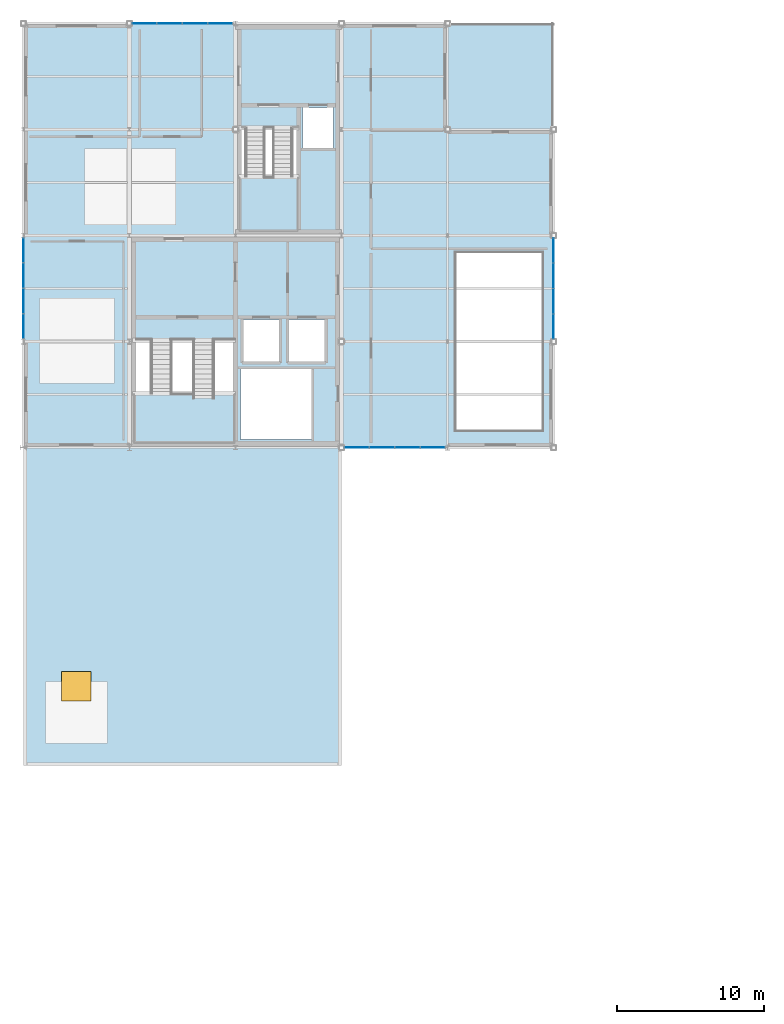
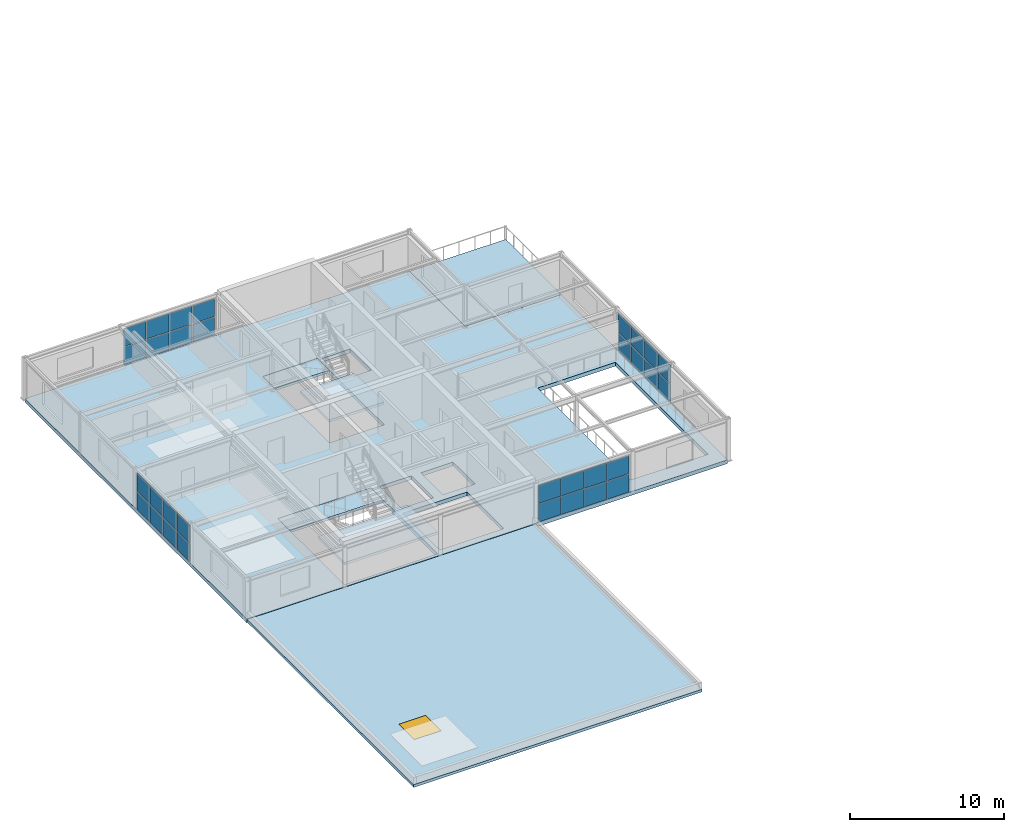
# One storey, part 13 of 22: 32 plates, 7 slabs, 1 window, 1 opening, 6 elements without a shape of their own.
"""IFC4 building model written with IfcOpenShell, lengths in metres."""

from ifc_helpers import new_model, si_unit, direction, frame, origin, origin_2d, place, context, subcontext, project, spatial, polyline, rectangle, outline, extrude, material, layer, layer_set, type_object, element, fill, aggregate, save


model = new_model("IFC4")

# Units and contexts
model_context = context("Model", 3, precision=1e-05, world=origin(), true_north=direction((0.0, 1.0)))
body_context = subcontext(model_context, "Body", "Model", "MODEL_VIEW")
ifc_project = project(units=[si_unit("LENGTHUNIT", "METRE"), si_unit("AREAUNIT", "SQUARE_METRE"), si_unit("VOLUMEUNIT", "CUBIC_METRE"), si_unit("PLANEANGLEUNIT", "RADIAN"), si_unit("MASSUNIT", "GRAM", prefix="KILO")], contexts=[model_context])

# Site, building, storey
site_placement = place(None, origin())
site = spatial("IfcSite", under=ifc_project, at=site_placement, CompositionType="ELEMENT")
building_placement = place(site_placement, origin())
building = spatial("IfcBuilding", under=site, at=building_placement, Name="Leyfeld Transit Interchange", CompositionType="ELEMENT")
storey_placement = place(building_placement, frame((0.0, 0.0, 18.0)))
storey = spatial("IfcBuildingStorey", under=building, at=storey_placement, Name="L04", CompositionType="ELEMENT", Elevation=18.0)

# Curtain wall, plates
ifc_material_1 = material(Name="Anodised aluminium EN AW-6060 T66", Category="aluminium")
curtain_wall_type = type_object("IfcCurtainWallType", Name="CW-SYS-OPS-7200", PredefinedType="NOTDEFINED", material=ifc_material_1)
curtain_wall_1_placement = place(storey_placement, origin())
curtain_wall_1 = element("IfcCurtainWall", 1, at=curtain_wall_1_placement, inside=storey, type_object=curtain_wall_type, Name="Curtain Wall CW-L04-135", PredefinedType="NOTDEFINED")
ifc_material_2 = material(Name="Triple low-E insulated glazing", Category="glass")
ifc_layer_1 = layer(ifc_material_2, 0.0439453125, Name="Triple low-E insulated glazing")
ifc_layer_set_1 = layer_set([ifc_layer_1], Name="Triple low-E insulated glazing")
plate_type = type_object("IfcPlateType", Name="CW-PNL-GLZ-44", PredefinedType="CURTAIN_PANEL", material=ifc_layer_set_1)
plate_1_placement = place(storey_placement, frame((27.77880859375, 93.60009765625, 0.0634765625), z_axis=(0.0, 0.0, 1.0), x_axis=(-1.0, 0.0, 0.0)))
plate_1 = element("IfcPlate", 2, at=plate_1_placement, type_object=plate_type, Name="Glazed Curtain Panel CW-L04-135-P01_1", PredefinedType="CURTAIN_PANEL", context=body_context, shape_type="SweptSolid", body=[
    extrude(rectangle(XDim=1.635498046875, YDim=0.0439453125, at=origin_2d()), origin(), (0.0, 0.0, 1.0), 1.405517578125),
])
plate_2_placement = place(storey_placement, frame((27.77880859375, 93.60009765625, 1.53125), z_axis=(0.0, 0.0, 1.0), x_axis=(-1.0, 0.0, 0.0)))
plate_2 = element("IfcPlate", 3, at=plate_2_placement, type_object=plate_type, Name="Glazed Curtain Panel CW-L04-135-P01_2", PredefinedType="CURTAIN_PANEL", context=body_context, shape_type="SweptSolid", body=[
    extrude(rectangle(XDim=1.635498046875, YDim=0.0439453125, at=origin_2d()), origin(), (0.0, 0.0, 1.0), 1.405517578125),
])
plate_3_placement = place(storey_placement, frame((26.06494140625, 93.60009765625, 0.0634765625), z_axis=(0.0, 0.0, 1.0), x_axis=(-1.0, 0.0, 0.0)))
plate_3 = element("IfcPlate", 4, at=plate_3_placement, type_object=plate_type, Name="Glazed Curtain Panel CW-L04-135-P02_1", PredefinedType="CURTAIN_PANEL", context=body_context, shape_type="SweptSolid", body=[
    extrude(rectangle(XDim=1.66796875, YDim=0.0439453125, at=origin_2d()), origin(), (0.0, 0.0, 1.0), 1.405517578125),
])
plate_4_placement = place(storey_placement, frame((26.06494140625, 93.60009765625, 1.53125), z_axis=(0.0, 0.0, 1.0), x_axis=(-1.0, 0.0, 0.0)))
plate_4 = element("IfcPlate", 5, at=plate_4_placement, type_object=plate_type, Name="Glazed Curtain Panel CW-L04-135-P02_2", PredefinedType="CURTAIN_PANEL", context=body_context, shape_type="SweptSolid", body=[
    extrude(rectangle(XDim=1.66796875, YDim=0.0439453125, at=origin_2d()), origin(), (0.0, 0.0, 1.0), 1.405517578125),
])
plate_5_placement = place(storey_placement, frame((24.3349609375, 93.60009765625, 0.0634765625), z_axis=(0.0, 0.0, 1.0), x_axis=(-1.0, 0.0, 0.0)))
plate_5 = element("IfcPlate", 6, at=plate_5_placement, type_object=plate_type, Name="Glazed Curtain Panel CW-L04-135-P03_1", PredefinedType="CURTAIN_PANEL", context=body_context, shape_type="SweptSolid", body=[
    extrude(rectangle(XDim=1.66796875, YDim=0.0439453125, at=origin_2d()), origin(), (0.0, 0.0, 1.0), 1.405517578125),
])
plate_6_placement = place(storey_placement, frame((24.3349609375, 93.60009765625, 1.53125), z_axis=(0.0, 0.0, 1.0), x_axis=(-1.0, 0.0, 0.0)))
plate_6 = element("IfcPlate", 7, at=plate_6_placement, type_object=plate_type, Name="Glazed Curtain Panel CW-L04-135-P03_2", PredefinedType="CURTAIN_PANEL", context=body_context, shape_type="SweptSolid", body=[
    extrude(rectangle(XDim=1.66796875, YDim=0.0439453125, at=origin_2d()), origin(), (0.0, 0.0, 1.0), 1.405517578125),
])
plate_7_placement = place(storey_placement, frame((22.62109375, 93.60009765625, 0.0634765625), z_axis=(0.0, 0.0, 1.0), x_axis=(-1.0, 0.0, 0.0)))
plate_7 = element("IfcPlate", 8, at=plate_7_placement, type_object=plate_type, Name="Glazed Curtain Panel CW-L04-135-P04_1", PredefinedType="CURTAIN_PANEL", context=body_context, shape_type="SweptSolid", body=[
    extrude(rectangle(XDim=1.635498046875, YDim=0.0439453125, at=origin_2d()), origin(), (0.0, 0.0, 1.0), 1.405517578125),
])
plate_8_placement = place(storey_placement, frame((22.62109375, 93.60009765625, 1.53125), z_axis=(0.0, 0.0, 1.0), x_axis=(-1.0, 0.0, 0.0)))
plate_8 = element("IfcPlate", 9, at=plate_8_placement, type_object=plate_type, Name="Glazed Curtain Panel CW-L04-135-P04_2", PredefinedType="CURTAIN_PANEL", context=body_context, shape_type="SweptSolid", body=[
    extrude(rectangle(XDim=1.635498046875, YDim=0.0439453125, at=origin_2d()), origin(), (0.0, 0.0, 1.0), 1.405517578125),
])
aggregate(curtain_wall_1, [plate_1, plate_2, plate_3, plate_4, plate_5, plate_6, plate_7, plate_8])

curtain_wall_2_placement = place(storey_placement, origin())
curtain_wall_2 = element("IfcCurtainWall", 10, at=curtain_wall_2_placement, inside=storey, type_object=curtain_wall_type, Name="Curtain Wall CW-L04-136", PredefinedType="NOTDEFINED")
plate_9_placement = place(storey_placement, frame((0.0, 101.841796875, 0.0634765625), z_axis=(0.0, 0.0, 1.0), x_axis=(0.0, 1.0, 0.0)))
plate_9 = element("IfcPlate", 11, at=plate_9_placement, type_object=plate_type, Name="Glazed Curtain Panel CW-L04-136-P01_1", PredefinedType="CURTAIN_PANEL", context=body_context, shape_type="SweptSolid", body=[
    extrude(rectangle(XDim=1.63671875, YDim=0.0439453125, at=origin_2d()), origin(), (0.0, 0.0, 1.0), 1.405517578125),
])
plate_10_placement = place(storey_placement, frame((0.0, 101.841796875, 1.53125), z_axis=(0.0, 0.0, 1.0), x_axis=(0.0, 1.0, 0.0)))
plate_10 = element("IfcPlate", 12, at=plate_10_placement, type_object=plate_type, Name="Glazed Curtain Panel CW-L04-136-P01_2", PredefinedType="CURTAIN_PANEL", context=body_context, shape_type="SweptSolid", body=[
    extrude(rectangle(XDim=1.63671875, YDim=0.0439453125, at=origin_2d()), origin(), (0.0, 0.0, 1.0), 1.405517578125),
])
plate_11_placement = place(storey_placement, frame((0.0, 103.556884765625, 0.0634765625), z_axis=(0.0, 0.0, 1.0), x_axis=(0.0, 1.0, 0.0)))
plate_11 = element("IfcPlate", 13, at=plate_11_placement, type_object=plate_type, Name="Glazed Curtain Panel CW-L04-136-P02_1", PredefinedType="CURTAIN_PANEL", context=body_context, shape_type="SweptSolid", body=[
    extrude(rectangle(XDim=1.669189453125, YDim=0.0439453125, at=origin_2d()), origin(), (0.0, 0.0, 1.0), 1.405517578125),
])
plate_12_placement = place(storey_placement, frame((0.0, 103.556884765625, 1.53125), z_axis=(0.0, 0.0, 1.0), x_axis=(0.0, 1.0, 0.0)))
plate_12 = element("IfcPlate", 14, at=plate_12_placement, type_object=plate_type, Name="Glazed Curtain Panel CW-L04-136-P02_2", PredefinedType="CURTAIN_PANEL", context=body_context, shape_type="SweptSolid", body=[
    extrude(rectangle(XDim=1.669189453125, YDim=0.0439453125, at=origin_2d()), origin(), (0.0, 0.0, 1.0), 1.405517578125),
])
plate_13_placement = place(storey_placement, frame((0.0, 105.2880859375, 0.0634765625), z_axis=(0.0, 0.0, 1.0), x_axis=(0.0, 1.0, 0.0)))
plate_13 = element("IfcPlate", 15, at=plate_13_placement, type_object=plate_type, Name="Glazed Curtain Panel CW-L04-136-P03_1", PredefinedType="CURTAIN_PANEL", context=body_context, shape_type="SweptSolid", body=[
    extrude(rectangle(XDim=1.669189453125, YDim=0.0439453125, at=origin_2d()), origin(), (0.0, 0.0, 1.0), 1.405517578125),
])
plate_14_placement = place(storey_placement, frame((0.0, 105.2880859375, 1.53125), z_axis=(0.0, 0.0, 1.0), x_axis=(0.0, 1.0, 0.0)))
plate_14 = element("IfcPlate", 16, at=plate_14_placement, type_object=plate_type, Name="Glazed Curtain Panel CW-L04-136-P03_2", PredefinedType="CURTAIN_PANEL", context=body_context, shape_type="SweptSolid", body=[
    extrude(rectangle(XDim=1.669189453125, YDim=0.0439453125, at=origin_2d()), origin(), (0.0, 0.0, 1.0), 1.405517578125),
])
plate_15_placement = place(storey_placement, frame((0.0, 107.003173828125, 0.0634765625), z_axis=(0.0, 0.0, 1.0), x_axis=(0.0, 1.0, 0.0)))
plate_15 = element("IfcPlate", 17, at=plate_15_placement, type_object=plate_type, Name="Glazed Curtain Panel CW-L04-136-P04_1", PredefinedType="CURTAIN_PANEL", context=body_context, shape_type="SweptSolid", body=[
    extrude(rectangle(XDim=1.63671875, YDim=0.0439453125, at=origin_2d()), origin(), (0.0, 0.0, 1.0), 1.405517578125),
])
plate_16_placement = place(storey_placement, frame((0.0, 107.003173828125, 1.53125), z_axis=(0.0, 0.0, 1.0), x_axis=(0.0, 1.0, 0.0)))
plate_16 = element("IfcPlate", 18, at=plate_16_placement, type_object=plate_type, Name="Glazed Curtain Panel CW-L04-136-P04_2", PredefinedType="CURTAIN_PANEL", context=body_context, shape_type="SweptSolid", body=[
    extrude(rectangle(XDim=1.63671875, YDim=0.0439453125, at=origin_2d()), origin(), (0.0, 0.0, 1.0), 1.405517578125),
])
aggregate(curtain_wall_2, [plate_9, plate_10, plate_11, plate_12, plate_13, plate_14, plate_15, plate_16])

curtain_wall_3_placement = place(storey_placement, origin())
curtain_wall_3 = element("IfcCurtainWall", 19, at=curtain_wall_3_placement, inside=storey, type_object=curtain_wall_type, Name="Curtain Wall CW-L04-137", PredefinedType="NOTDEFINED")
plate_17_placement = place(storey_placement, frame((8.22119140625, 122.39990234375, 0.0634765625), z_axis=(0.0, 0.0, 1.0), x_axis=(1.0, 0.0, 0.0)))
plate_17 = element("IfcPlate", 20, at=plate_17_placement, type_object=plate_type, Name="Glazed Curtain Panel CW-L04-137-P01_1", PredefinedType="CURTAIN_PANEL", context=body_context, shape_type="SweptSolid", body=[
    extrude(rectangle(XDim=1.635498046875, YDim=0.0439453125, at=origin_2d()), origin(), (0.0, 0.0, 1.0), 1.405517578125),
])
plate_18_placement = place(storey_placement, frame((8.22119140625, 122.39990234375, 1.53125), z_axis=(0.0, 0.0, 1.0), x_axis=(1.0, 0.0, 0.0)))
plate_18 = element("IfcPlate", 21, at=plate_18_placement, type_object=plate_type, Name="Glazed Curtain Panel CW-L04-137-P01_2", PredefinedType="CURTAIN_PANEL", context=body_context, shape_type="SweptSolid", body=[
    extrude(rectangle(XDim=1.635498046875, YDim=0.0439453125, at=origin_2d()), origin(), (0.0, 0.0, 1.0), 1.405517578125),
])
plate_19_placement = place(storey_placement, frame((9.93505859375, 122.39990234375, 0.0634765625), z_axis=(0.0, 0.0, 1.0), x_axis=(1.0, 0.0, 0.0)))
plate_19 = element("IfcPlate", 22, at=plate_19_placement, type_object=plate_type, Name="Glazed Curtain Panel CW-L04-137-P02_1", PredefinedType="CURTAIN_PANEL", context=body_context, shape_type="SweptSolid", body=[
    extrude(rectangle(XDim=1.66796875, YDim=0.0439453125, at=origin_2d()), origin(), (0.0, 0.0, 1.0), 1.405517578125),
])
plate_20_placement = place(storey_placement, frame((9.93505859375, 122.39990234375, 1.53125), z_axis=(0.0, 0.0, 1.0), x_axis=(1.0, 0.0, 0.0)))
plate_20 = element("IfcPlate", 23, at=plate_20_placement, type_object=plate_type, Name="Glazed Curtain Panel CW-L04-137-P02_2", PredefinedType="CURTAIN_PANEL", context=body_context, shape_type="SweptSolid", body=[
    extrude(rectangle(XDim=1.66796875, YDim=0.0439453125, at=origin_2d()), origin(), (0.0, 0.0, 1.0), 1.405517578125),
])
plate_21_placement = place(storey_placement, frame((11.6650390625, 122.39990234375, 0.0634765625), z_axis=(0.0, 0.0, 1.0), x_axis=(1.0, 0.0, 0.0)))
plate_21 = element("IfcPlate", 24, at=plate_21_placement, type_object=plate_type, Name="Glazed Curtain Panel CW-L04-137-P03_1", PredefinedType="CURTAIN_PANEL", context=body_context, shape_type="SweptSolid", body=[
    extrude(rectangle(XDim=1.66796875, YDim=0.0439453125, at=origin_2d()), origin(), (0.0, 0.0, 1.0), 1.405517578125),
])
plate_22_placement = place(storey_placement, frame((11.6650390625, 122.39990234375, 1.53125), z_axis=(0.0, 0.0, 1.0), x_axis=(1.0, 0.0, 0.0)))
plate_22 = element("IfcPlate", 25, at=plate_22_placement, type_object=plate_type, Name="Glazed Curtain Panel CW-L04-137-P03_2", PredefinedType="CURTAIN_PANEL", context=body_context, shape_type="SweptSolid", body=[
    extrude(rectangle(XDim=1.66796875, YDim=0.0439453125, at=origin_2d()), origin(), (0.0, 0.0, 1.0), 1.405517578125),
])
plate_23_placement = place(storey_placement, frame((13.37890625, 122.39990234375, 0.0634765625), z_axis=(0.0, 0.0, 1.0), x_axis=(1.0, 0.0, 0.0)))
plate_23 = element("IfcPlate", 26, at=plate_23_placement, type_object=plate_type, Name="Glazed Curtain Panel CW-L04-137-P04_1", PredefinedType="CURTAIN_PANEL", context=body_context, shape_type="SweptSolid", body=[
    extrude(rectangle(XDim=1.635498046875, YDim=0.0439453125, at=origin_2d()), origin(), (0.0, 0.0, 1.0), 1.405517578125),
])
plate_24_placement = place(storey_placement, frame((13.37890625, 122.39990234375, 1.53125), z_axis=(0.0, 0.0, 1.0), x_axis=(1.0, 0.0, 0.0)))
plate_24 = element("IfcPlate", 27, at=plate_24_placement, type_object=plate_type, Name="Glazed Curtain Panel CW-L04-137-P04_2", PredefinedType="CURTAIN_PANEL", context=body_context, shape_type="SweptSolid", body=[
    extrude(rectangle(XDim=1.635498046875, YDim=0.0439453125, at=origin_2d()), origin(), (0.0, 0.0, 1.0), 1.405517578125),
])
aggregate(curtain_wall_3, [plate_17, plate_18, plate_19, plate_20, plate_21, plate_22, plate_23, plate_24])

curtain_wall_4_placement = place(storey_placement, origin())
curtain_wall_4 = element("IfcCurtainWall", 28, at=curtain_wall_4_placement, inside=storey, type_object=curtain_wall_type, Name="Curtain Wall CW-L04-138", PredefinedType="NOTDEFINED")
plate_25_placement = place(storey_placement, frame((36.0, 106.978759765625, 0.0634765625), z_axis=(0.0, 0.0, 1.0), x_axis=(0.0, -1.0, 0.0)))
plate_25 = element("IfcPlate", 29, at=plate_25_placement, type_object=plate_type, Name="Glazed Curtain Panel CW-L04-138-P01_1", PredefinedType="CURTAIN_PANEL", context=body_context, shape_type="SweptSolid", body=[
    extrude(rectangle(XDim=1.635498046875, YDim=0.0439453125, at=origin_2d()), origin(), (0.0, 0.0, 1.0), 1.435546875),
])
plate_26_placement = place(storey_placement, frame((36.0, 106.978759765625, 1.56103515625), z_axis=(0.0, 0.0, 1.0), x_axis=(0.0, -1.0, 0.0)))
plate_26 = element("IfcPlate", 30, at=plate_26_placement, type_object=plate_type, Name="Glazed Curtain Panel CW-L04-138-P01_2", PredefinedType="CURTAIN_PANEL", context=body_context, shape_type="SweptSolid", body=[
    extrude(rectangle(XDim=1.635498046875, YDim=0.0439453125, at=origin_2d()), origin(), (0.0, 0.0, 1.0), 1.435546875),
])
plate_27_placement = place(storey_placement, frame((36.0, 105.264892578125, 0.0634765625), z_axis=(0.0, 0.0, 1.0), x_axis=(0.0, -1.0, 0.0)))
plate_27 = element("IfcPlate", 31, at=plate_27_placement, type_object=plate_type, Name="Glazed Curtain Panel CW-L04-138-P02_1", PredefinedType="CURTAIN_PANEL", context=body_context, shape_type="SweptSolid", body=[
    extrude(rectangle(XDim=1.66796875, YDim=0.0439453125, at=origin_2d()), origin(), (0.0, 0.0, 1.0), 1.435546875),
])
plate_28_placement = place(storey_placement, frame((36.0, 105.264892578125, 1.56103515625), z_axis=(0.0, 0.0, 1.0), x_axis=(0.0, -1.0, 0.0)))
plate_28 = element("IfcPlate", 32, at=plate_28_placement, type_object=plate_type, Name="Glazed Curtain Panel CW-L04-138-P02_2", PredefinedType="CURTAIN_PANEL", context=body_context, shape_type="SweptSolid", body=[
    extrude(rectangle(XDim=1.66796875, YDim=0.0439453125, at=origin_2d()), origin(), (0.0, 0.0, 1.0), 1.435546875),
])
plate_29_placement = place(storey_placement, frame((36.0, 103.534912109375, 0.0634765625), z_axis=(0.0, 0.0, 1.0), x_axis=(0.0, -1.0, 0.0)))
plate_29 = element("IfcPlate", 33, at=plate_29_placement, type_object=plate_type, Name="Glazed Curtain Panel CW-L04-138-P03_1", PredefinedType="CURTAIN_PANEL", context=body_context, shape_type="SweptSolid", body=[
    extrude(rectangle(XDim=1.66796875, YDim=0.0439453125, at=origin_2d()), origin(), (0.0, 0.0, 1.0), 1.435546875),
])
plate_30_placement = place(storey_placement, frame((36.0, 103.534912109375, 1.56103515625), z_axis=(0.0, 0.0, 1.0), x_axis=(0.0, -1.0, 0.0)))
plate_30 = element("IfcPlate", 34, at=plate_30_placement, type_object=plate_type, Name="Glazed Curtain Panel CW-L04-138-P03_2", PredefinedType="CURTAIN_PANEL", context=body_context, shape_type="SweptSolid", body=[
    extrude(rectangle(XDim=1.66796875, YDim=0.0439453125, at=origin_2d()), origin(), (0.0, 0.0, 1.0), 1.435546875),
])
plate_31_placement = place(storey_placement, frame((36.0, 101.8212890625, 0.0634765625), z_axis=(0.0, 0.0, 1.0), x_axis=(0.0, -1.0, 0.0)))
plate_31 = element("IfcPlate", 35, at=plate_31_placement, type_object=plate_type, Name="Glazed Curtain Panel CW-L04-138-P04_1", PredefinedType="CURTAIN_PANEL", context=body_context, shape_type="SweptSolid", body=[
    extrude(rectangle(XDim=1.635498046875, YDim=0.0439453125, at=origin_2d()), origin(), (0.0, 0.0, 1.0), 1.435546875),
])
plate_32_placement = place(storey_placement, frame((36.0, 101.8212890625, 1.56103515625), z_axis=(0.0, 0.0, 1.0), x_axis=(0.0, -1.0, 0.0)))
plate_32 = element("IfcPlate", 36, at=plate_32_placement, type_object=plate_type, Name="Glazed Curtain Panel CW-L04-138-P04_2", PredefinedType="CURTAIN_PANEL", context=body_context, shape_type="SweptSolid", body=[
    extrude(rectangle(XDim=1.635498046875, YDim=0.0439453125, at=origin_2d()), origin(), (0.0, 0.0, 1.0), 1.435546875),
])
aggregate(curtain_wall_4, [plate_25, plate_26, plate_27, plate_28, plate_29, plate_30, plate_31, plate_32])

# Slabs
ifc_material_3 = material(Name="Concrete C35/45", Category="concrete")
ifc_layer_2 = layer(ifc_material_3, 0.300048828125, Name="Concrete C35/45")
ifc_layer_set_2 = layer_set([ifc_layer_2], Name="Concrete C35/45")
slab_type_1 = type_object("IfcSlabType", Name="SLB-FLR-300", PredefinedType="FLOOR", material=ifc_layer_set_2)
slab_1_placement = place(storey_placement, frame((0.0, 0.0, -0.300048828125)))
element("IfcSlab", 37, at=slab_1_placement, inside=storey, type_object=slab_type_1, Name="Slab V5 L04 B1", PredefinedType="FLOOR", context=body_context, shape_type="SweptSolid", body=[
    extrude(outline(polyline([(0.0, 93.625), (36.0, 93.625), (36.0, 115.199951171875), (28.800048828125, 115.199951171875), (28.800048828125, 122.39990234375), (0.0, 122.39990234375), (0.0, 115.199951171875), (0.0, 93.625)]), holes=[polyline([(7.425048828125, 93.824951171875), (7.425048828125, 102.449951171875), (14.39990234375, 102.449951171875), (14.39990234375, 93.824951171875), (7.425048828125, 93.824951171875)]), polyline([(14.75, 98.919921875), (19.550048828125, 98.919921875), (19.550048828125, 94.14990234375), (14.75, 94.14990234375), (14.75, 98.919921875)]), polyline([(17.35009765625, 102.300048828125), (17.35009765625, 99.449951171875), (14.949951171875, 99.449951171875), (14.949951171875, 102.300048828125), (17.35009765625, 102.300048828125)]), polyline([(20.449951171875, 99.449951171875), (18.050048828125, 99.449951171875), (18.050048828125, 102.300048828125), (20.449951171875, 102.300048828125), (20.449951171875, 99.449951171875)]), polyline([(14.60009765625, 108.199951171875), (14.60009765625, 116.85009765625), (18.699951171875, 116.85009765625), (18.699951171875, 108.199951171875), (14.60009765625, 108.199951171875)]), polyline([(18.949951171875, 116.699951171875), (21.050048828125, 116.699951171875), (21.050048828125, 113.949951171875), (18.949951171875, 113.949951171875), (18.949951171875, 116.699951171875)]), polyline([(35.199951171875, 106.800048828125), (35.199951171875, 94.800048828125), (29.39990234375, 94.800048828125), (29.39990234375, 106.800048828125), (35.199951171875, 106.800048828125)])]), origin(), (0.0, 0.0, 1.0), 0.300048828125),
])
ifc_material_4 = material(Name="Precast concrete C40/50", Category="concrete")
ifc_layer_3 = layer(ifc_material_4, 0.199951171875, Name="Precast concrete C40/50")
ifc_layer_set_3 = layer_set([ifc_layer_3], Name="Precast concrete C40/50")
slab_type_2 = type_object("IfcSlabType", Name="SLB-LND-200", PredefinedType="LANDING", material=ifc_layer_set_3)
slab_2_placement = place(storey_placement, frame((0.0, 0.0, -0.199951171875)))
element("IfcSlab", 38, at=slab_2_placement, inside=storey, type_object=slab_type_2, Name="Core K1 Stair Floor Landing L04", PredefinedType="LANDING", context=body_context, shape_type="SweptSolid", body=[
    extrude(outline(polyline([(7.429931640625, 100.89990234375), (14.39501953125, 100.89990234375), (14.39501953125, 102.445068359375), (7.429931640625, 102.445068359375), (7.429931640625, 100.89990234375)])), origin(), (0.0, 0.0, 1.0), 0.199951171875),
])

# Stair, slab
stair_type_1 = type_object("IfcStairType", Name="STR-HT-144x330", PredefinedType="HALF_TURN_STAIR", material=ifc_material_4)
stair_1_placement = place(storey_placement, origin())
stair_1 = element("IfcStair", 39, at=stair_1_placement, inside=storey, type_object=stair_type_1, Name="Exit Stair ST-01 (L04 to L05)", PredefinedType="HALF_TURN_STAIR")
slab_3_placement = place(storey_placement, frame((0.0, 0.0, 1.528076171875)))
slab_3 = element("IfcSlab", 40, at=slab_3_placement, type_object=slab_type_2, Name="Stair ST-01 L04 Half Landing", PredefinedType="LANDING", context=body_context, shape_type="SweptSolid", body=[
    extrude(outline(polyline([(7.429931640625, 93.830078125), (14.39501953125, 93.830078125), (14.39501953125, 97.27001953125), (7.429931640625, 97.27001953125), (7.429931640625, 93.830078125)])), origin(), (0.0, 0.0, 1.0), 0.199951171875),
])
aggregate(stair_1, [slab_3])

# Slab
slab_4_placement = place(storey_placement, frame((0.0, 0.0, -0.199951171875)))
element("IfcSlab", 41, at=slab_4_placement, inside=storey, type_object=slab_type_2, Name="Core K2 Stair Floor Landing L04", PredefinedType="LANDING", context=body_context, shape_type="SweptSolid", body=[
    extrude(outline(polyline([(14.60498046875, 115.300048828125), (18.695068359375, 115.300048828125), (18.695068359375, 116.844970703125), (14.60498046875, 116.844970703125), (14.60498046875, 115.300048828125)])), origin(), (0.0, 0.0, 1.0), 0.199951171875),
])

# Stair, slab
stair_type_2 = type_object("IfcStairType", Name="STR-HT-150x300", PredefinedType="HALF_TURN_STAIR", material=ifc_material_4)
stair_2_placement = place(storey_placement, origin())
stair_2 = element("IfcStair", 42, at=stair_2_placement, inside=storey, type_object=stair_type_2, Name="Exit Stair ST-02 (L04 to L05)", PredefinedType="HALF_TURN_STAIR")
slab_5_placement = place(storey_placement, frame((0.0, 0.0, 1.60009765625)))
slab_5 = element("IfcSlab", 43, at=slab_5_placement, type_object=slab_type_2, Name="Stair ST-02 L04 Half Landing", PredefinedType="LANDING", context=body_context, shape_type="SweptSolid", body=[
    extrude(outline(polyline([(14.60498046875, 108.205078125), (18.695068359375, 108.205078125), (18.695068359375, 112.0), (14.60498046875, 112.0), (14.60498046875, 108.205078125)])), origin(), (0.0, 0.0, 1.0), 0.199951171875),
])
aggregate(stair_2, [slab_5])

# Slab, opening, window
ifc_layer_4 = layer(ifc_material_3, 0.219970703125, Name="Concrete C35/45")
ifc_layer_set_4 = layer_set([ifc_layer_4], Name="Concrete C35/45")
slab_type_3 = type_object("IfcSlabType", Name="SLB-ROOF-220", PredefinedType="ROOF", material=ifc_layer_set_4)
slab_6_placement = place(storey_placement, frame((0.0, 0.0, -0.219970703125)))
slab_6 = element("IfcSlab", 44, at=slab_6_placement, inside=storey, type_object=slab_type_3, Name="Slab V3_ROOF L04 B1", PredefinedType="ROOF", context=body_context, shape_type="SweptSolid", body=[
    extrude(outline(polyline([(21.60009765625, 93.574951171875), (0.0, 93.574951171875), (0.0, 72.0), (21.60009765625, 72.0), (21.60009765625, 93.574951171875)]), holes=[polyline([(4.60009765625, 76.39990234375), (2.60009765625, 76.39990234375), (2.60009765625, 78.39990234375), (4.60009765625, 78.39990234375), (4.60009765625, 76.39990234375)])]), origin(), (0.0, 0.0, 1.0), 0.219970703125),
])
opening_placement = place(slab_6_placement, frame((3.60009765625, 77.39990234375, 0.0)))
opening = element("IfcOpeningElement", 45, at=opening_placement, cuts=slab_6, Name="Opening SK-03", PredefinedType="OPENING", context=body_context, shape_type="SweptSolid", body=[
    extrude(rectangle(XDim=2.0, YDim=2.0, at=origin_2d()), frame((0.0, 0.0, -0.010009765625)), (0.0, 0.0, 1.0), 0.239990234375),
])
ifc_material_5 = material(Name="Laminated safety acoustic glazing", Category="glass")
window_type = type_object("IfcWindowType", Name="SKY-2000x2000", PartitioningType="SINGLE_PANEL", PredefinedType="SKYLIGHT", material=ifc_material_5)
window_placement = place(opening_placement, frame((0.0, 0.0, 0.169921875)))
window = element("IfcWindow", 46, at=window_placement, inside=storey, type_object=window_type, Name="Roof Skylight L04 10", OverallHeight=2.0, OverallWidth=2.0, PartitioningType="SINGLE_PANEL", PredefinedType="SKYLIGHT", context=body_context, shape_type="SweptSolid", body=[
    extrude(rectangle(XDim=2.0, YDim=2.0, at=origin_2d()), origin(), (0.0, 0.0, 1.0), 0.050048828125),
])
fill(opening, window)

# Slab
ifc_layer_5 = layer(ifc_material_3, 0.25, Name="Concrete C35/45")
ifc_layer_set_5 = layer_set([ifc_layer_5], Name="Concrete C35/45")
slab_type_4 = type_object("IfcSlabType", Name="SLB-TERR-250", PredefinedType="FLOOR", material=ifc_layer_set_5)
slab_7_placement = place(storey_placement, frame((0.0, 0.0, -0.25)))
element("IfcSlab", 47, at=slab_7_placement, inside=storey, type_object=slab_type_4, Name="Outdoor Roof Terrace V5_TERR L04", PredefinedType="FLOOR", context=body_context, shape_type="SweptSolid", body=[
    extrude(outline(polyline([(36.0, 122.39990234375), (28.800048828125, 122.39990234375), (28.800048828125, 115.199951171875), (36.0, 115.199951171875), (36.0, 122.39990234375)])), origin(), (0.0, 0.0, 1.0), 0.25),
])

save(model, "model.ifc")
